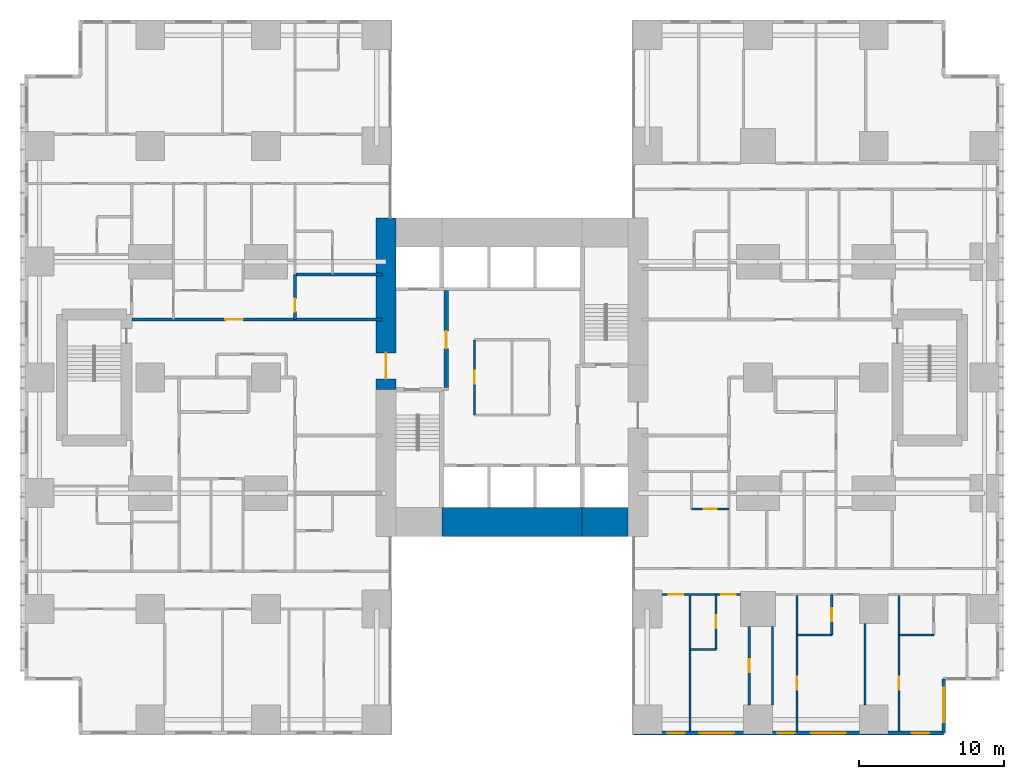
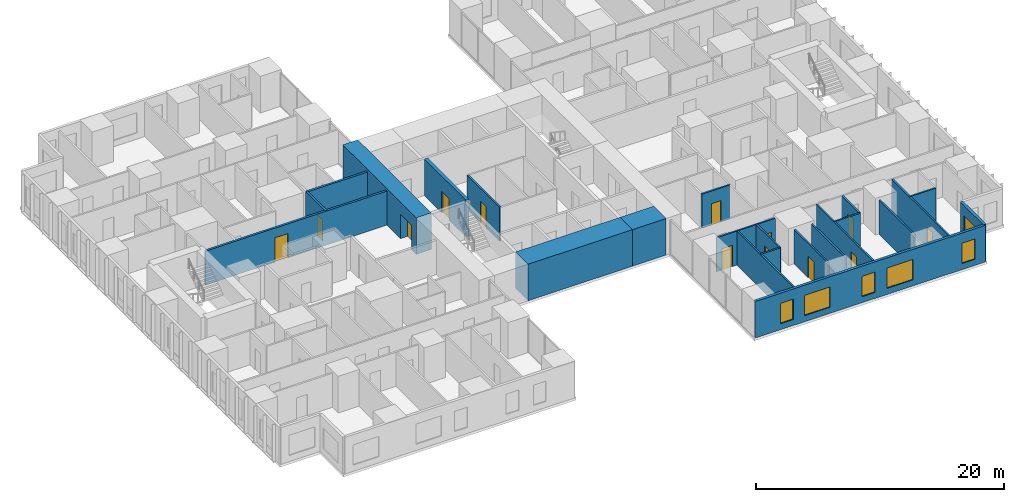
# One storey, part 14 of 20: 23 walls, 13 doors, 6 windows, 19 openings.
"""IFC4 building model written with IfcOpenShell, lengths in metres."""

from ifc_helpers import new_model, si_unit, direction, frame, frame_2d, origin, place, context, subcontext, project, spatial, rectangle, extrude, material, layer, layer_set, type_object, element, fill, save


model = new_model("IFC4")

# Units and contexts
model_context = context("Model", 3, precision=1e-05, world=origin(), true_north=direction((0.0, 1.0)))
body_context = subcontext(model_context, "Body", "Model", "MODEL_VIEW")
ifc_project = project(units=[si_unit("LENGTHUNIT", "METRE"), si_unit("AREAUNIT", "SQUARE_METRE"), si_unit("VOLUMEUNIT", "CUBIC_METRE"), si_unit("PLANEANGLEUNIT", "RADIAN"), si_unit("MASSUNIT", "GRAM", prefix="KILO")], contexts=[model_context])

# Site, building, storey
site_placement = place(None, origin())
site = spatial("IfcSite", under=ifc_project, at=site_placement, CompositionType="ELEMENT")
building_placement = place(site_placement, origin())
building = spatial("IfcBuilding", under=site, at=building_placement, Name="Cleftline Residences", CompositionType="ELEMENT")
storey_placement = place(building_placement, frame((0.0, 0.0, 54.800048828125)))
storey = spatial("IfcBuildingStorey", under=building, at=storey_placement, Name="L13", CompositionType="ELEMENT", Elevation=54.800048828125)

# Wall, opening, door
ifc_material_1 = material(Name="Concrete B70", Category="concrete")
ifc_layer_1 = layer(ifc_material_1, 1.39990234375)
ifc_layer_set_1 = layer_set([ifc_layer_1], Name="CORE WALL 1400")
wall_type_1 = type_object("IfcWallType", Name="CORE WALL 1400", PredefinedType="SHEAR", material=ifc_layer_set_1)
wall_1_placement = place(storey_placement, frame((24.300048828125, 23.14990234375, 0.0), z_axis=(0.0, 0.0, 1.0), x_axis=(0.0, 1.0, 0.0)))
wall_1 = element("IfcWall", 1, at=wall_1_placement, inside=storey, type_object=wall_type_1, Name="Core wall W", PredefinedType="SHEAR", context=body_context, shape_type="SweptSolid", body=[
    extrude(rectangle(XDim=11.85009765625, YDim=1.39990234375, at=frame_2d((5.925048828125, 0.0))), origin(), (0.0, 0.0, 1.0), 3.599853515625),
])
opening_1_placement = place(wall_1_placement, frame((0.75, 0.0, 0.0)))
opening_1 = element("IfcOpeningElement", 2, at=opening_1_placement, cuts=wall_1, Name="Opening D7", PredefinedType="OPENING", context=body_context, shape_type="SweptSolid", body=[
    extrude(rectangle(XDim=1.800048828125, YDim=2.39990234375, at=frame_2d((0.89990234375, 1.199951171875))), frame((0.0, 0.7099609375, 0.0), z_axis=(0.0, -1.0, 0.0), x_axis=(1.0, 0.0, 0.0)), (0.0, 0.0, 1.0), 1.419921875),
])
ifc_material_2 = material(Name="Steel", Category="steel")
door_type_1 = type_object("IfcDoorType", Name="WING DOOR 1800X2400", OperationType="DOUBLE_DOOR_DOUBLE_SWING", PredefinedType="DOOR", material=ifc_material_2)
door_1_placement = place(opening_1_placement, origin())
door_1 = element("IfcDoor", 3, at=door_1_placement, inside=storey, type_object=door_type_1, Name="West wing door", OperationType="DOUBLE_DOOR_DOUBLE_SWING", OverallHeight=2.39990234375, OverallWidth=1.800048828125, PredefinedType="DOOR", context=body_context, shape_type="SweptSolid", body=[
    extrude(rectangle(XDim=1.800048828125, YDim=2.39990234375, at=frame_2d((0.89990234375, 1.199951171875))), frame((0.0, 0.02490234375, 0.0), z_axis=(0.0, -1.0, 0.0), x_axis=(1.0, 0.0, 0.0)), (0.0, 0.0, 1.0), 0.050048828125),
])
fill(opening_1, door_1)

# Walls
ifc_material_3 = material(Name="Concrete B70", Category="concrete")
ifc_layer_2 = layer(ifc_material_3, 2.0)
ifc_layer_set_2 = layer_set([ifc_layer_2], Name="CORE WALL 2000")
wall_type_2 = type_object("IfcWallType", Name="CORE WALL 2000", PredefinedType="SHEAR", material=ifc_layer_set_2)
wall_2_placement = place(storey_placement, frame((28.14990234375, 14.0, 0.0), z_axis=(0.0, 0.0, 1.0), x_axis=(1.0, 0.0, 0.0)))
element("IfcWall", 4, at=wall_2_placement, inside=storey, type_object=wall_type_2, Name="Core wall S2", PredefinedType="SHEAR", context=body_context, shape_type="SweptSolid", body=[
    extrude(rectangle(XDim=9.7001953125, YDim=2.0, at=frame_2d((4.85009765625, 0.0))), origin(), (0.0, 0.0, 1.0), 3.599853515625),
])
wall_3_placement = place(storey_placement, frame((37.85009765625, 14.0, 0.0), z_axis=(0.0, 0.0, 1.0), x_axis=(1.0, 0.0, 0.0)))
element("IfcWall", 5, at=wall_3_placement, inside=storey, type_object=wall_type_2, Name="Core wall S3", PredefinedType="SHEAR", context=body_context, shape_type="SweptSolid", body=[
    extrude(rectangle(XDim=3.14990234375, YDim=2.0, at=frame_2d((1.574951171875, 0.0))), origin(), (0.0, 0.0, 1.0), 3.599853515625),
])

# Wall, openings, windows
ifc_material_4 = material(Name="Rendered reinforced concrete blockwork", Category="masonry")
ifc_layer_3 = layer(ifc_material_4, 0.25)
ifc_layer_set_3 = layer_set([ifc_layer_3], Name="EXTERNAL WALL 250")
wall_type_3 = type_object("IfcWallType", Name="EXTERNAL WALL 250", PredefinedType="SOLIDWALL", material=ifc_layer_set_3)
wall_4_placement = place(storey_placement, frame((41.425048828125, -0.574951171875, 0.0), z_axis=(0.0, 0.0, 1.0), x_axis=(1.0, 0.0, 0.0)))
wall_4 = element("IfcWall", 6, at=wall_4_placement, inside=storey, type_object=wall_type_3, Name="External wall", PredefinedType="SOLIDWALL", context=body_context, shape_type="SweptSolid", body=[
    extrude(rectangle(XDim=21.39990234375, YDim=0.25, at=frame_2d((10.699951171875, 0.0))), origin(), (0.0, 0.0, 1.0), 3.599853515625),
])
opening_2_placement = place(wall_4_placement, frame((2.300048828125, 0.0, 0.60009765625)))
opening_2 = element("IfcOpeningElement", 7, at=opening_2_placement, cuts=wall_4, Name="Opening W8", PredefinedType="OPENING", context=body_context, shape_type="SweptSolid", body=[
    extrude(rectangle(XDim=1.199951171875, YDim=2.0, at=frame_2d((0.60009765625, 1.0))), frame((0.0, 0.135009765625, 0.0), z_axis=(0.0, -1.0, 0.0), x_axis=(1.0, 0.0, 0.0)), (0.0, 0.0, 1.0), 0.27001953125),
])
opening_3_placement = place(wall_4_placement, frame((4.52490234375, 0.0, 0.60009765625)))
opening_3 = element("IfcOpeningElement", 8, at=opening_3_placement, cuts=wall_4, Name="Opening W6", PredefinedType="OPENING", context=body_context, shape_type="SweptSolid", body=[
    extrude(rectangle(XDim=2.39990234375, YDim=2.0, at=frame_2d((1.199951171875, 1.0))), frame((0.0, 0.135009765625, 0.0), z_axis=(0.0, -1.0, 0.0), x_axis=(1.0, 0.0, 0.0)), (0.0, 0.0, 1.0), 0.27001953125),
])
opening_4_placement = place(wall_4_placement, frame((9.89990234375, 0.0, 0.60009765625)))
opening_4 = element("IfcOpeningElement", 9, at=opening_4_placement, cuts=wall_4, Name="Opening W8", PredefinedType="OPENING", context=body_context, shape_type="SweptSolid", body=[
    extrude(rectangle(XDim=1.199951171875, YDim=2.0, at=frame_2d((0.60009765625, 1.0))), frame((0.0, 0.135009765625, 0.0), z_axis=(0.0, -1.0, 0.0), x_axis=(1.0, 0.0, 0.0)), (0.0, 0.0, 1.0), 0.27001953125),
])
opening_5_placement = place(wall_4_placement, frame((12.22509765625, 0.0, 0.60009765625)))
opening_5 = element("IfcOpeningElement", 10, at=opening_5_placement, cuts=wall_4, Name="Opening W6", PredefinedType="OPENING", context=body_context, shape_type="SweptSolid", body=[
    extrude(rectangle(XDim=2.39990234375, YDim=2.0, at=frame_2d((1.199951171875, 1.0))), frame((0.0, 0.135009765625, 0.0), z_axis=(0.0, -1.0, 0.0), x_axis=(1.0, 0.0, 0.0)), (0.0, 0.0, 1.0), 0.27001953125),
])
opening_6_placement = place(wall_4_placement, frame((19.199951171875, 0.0, 0.60009765625)))
opening_6 = element("IfcOpeningElement", 11, at=opening_6_placement, cuts=wall_4, Name="Opening W8", PredefinedType="OPENING", context=body_context, shape_type="SweptSolid", body=[
    extrude(rectangle(XDim=1.199951171875, YDim=2.0, at=frame_2d((0.60009765625, 1.0))), frame((0.0, 0.135009765625, 0.0), z_axis=(0.0, -1.0, 0.0), x_axis=(1.0, 0.0, 0.0)), (0.0, 0.0, 1.0), 0.27001953125),
])
ifc_material_5 = material(Name="Aluminium frame, clear double glazing", Category="aluminium")
window_type_1 = type_object("IfcWindowType", Name="WINDOW 1200X2000", PartitioningType="DOUBLE_PANEL_VERTICAL", PredefinedType="WINDOW", material=ifc_material_5)
window_1_placement = place(opening_2_placement, origin())
window_1 = element("IfcWindow", 12, at=window_1_placement, inside=storey, type_object=window_type_1, Name="Window", OverallHeight=2.0, OverallWidth=1.199951171875, PartitioningType="SINGLE_PANEL", PredefinedType="WINDOW", context=body_context, shape_type="SweptSolid", body=[
    extrude(rectangle(XDim=1.199951171875, YDim=2.0, at=frame_2d((0.60009765625, 1.0))), frame((0.0, 0.030029296875, 0.0), z_axis=(0.0, -1.0, 0.0), x_axis=(1.0, 0.0, 0.0)), (0.0, 0.0, 1.0), 0.06005859375),
])
fill(opening_2, window_1)
window_2_placement = place(opening_4_placement, origin())
window_2 = element("IfcWindow", 13, at=window_2_placement, inside=storey, type_object=window_type_1, Name="Window", OverallHeight=2.0, OverallWidth=1.199951171875, PartitioningType="SINGLE_PANEL", PredefinedType="WINDOW", context=body_context, shape_type="SweptSolid", body=[
    extrude(rectangle(XDim=1.199951171875, YDim=2.0, at=frame_2d((0.60009765625, 1.0))), frame((0.0, 0.030029296875, 0.0), z_axis=(0.0, -1.0, 0.0), x_axis=(1.0, 0.0, 0.0)), (0.0, 0.0, 1.0), 0.06005859375),
])
fill(opening_4, window_2)
window_3_placement = place(opening_6_placement, origin())
window_3 = element("IfcWindow", 14, at=window_3_placement, inside=storey, type_object=window_type_1, Name="Window", OverallHeight=2.0, OverallWidth=1.199951171875, PartitioningType="SINGLE_PANEL", PredefinedType="WINDOW", context=body_context, shape_type="SweptSolid", body=[
    extrude(rectangle(XDim=1.199951171875, YDim=2.0, at=frame_2d((0.60009765625, 1.0))), frame((0.0, 0.030029296875, 0.0), z_axis=(0.0, -1.0, 0.0), x_axis=(1.0, 0.0, 0.0)), (0.0, 0.0, 1.0), 0.06005859375),
])
fill(opening_6, window_3)
ifc_material_6 = material(Name="Aluminium frame, clear double glazing", Category="aluminium")
window_type_2 = type_object("IfcWindowType", Name="WINDOW 2400X2000", PartitioningType="DOUBLE_PANEL_VERTICAL", PredefinedType="WINDOW", material=ifc_material_6)
window_4_placement = place(opening_3_placement, origin())
window_4 = element("IfcWindow", 15, at=window_4_placement, inside=storey, type_object=window_type_2, Name="Window", OverallHeight=2.0, OverallWidth=2.39990234375, PartitioningType="SINGLE_PANEL", PredefinedType="WINDOW", context=body_context, shape_type="SweptSolid", body=[
    extrude(rectangle(XDim=2.39990234375, YDim=2.0, at=frame_2d((1.199951171875, 1.0))), frame((0.0, 0.030029296875, 0.0), z_axis=(0.0, -1.0, 0.0), x_axis=(1.0, 0.0, 0.0)), (0.0, 0.0, 1.0), 0.06005859375),
])
fill(opening_3, window_4)
window_5_placement = place(opening_5_placement, origin())
window_5 = element("IfcWindow", 16, at=window_5_placement, inside=storey, type_object=window_type_2, Name="Window", OverallHeight=2.0, OverallWidth=2.39990234375, PartitioningType="SINGLE_PANEL", PredefinedType="WINDOW", context=body_context, shape_type="SweptSolid", body=[
    extrude(rectangle(XDim=2.39990234375, YDim=2.0, at=frame_2d((1.199951171875, 1.0))), frame((0.0, 0.030029296875, 0.0), z_axis=(0.0, -1.0, 0.0), x_axis=(1.0, 0.0, 0.0)), (0.0, 0.0, 1.0), 0.06005859375),
])
fill(opening_5, window_5)

# Wall, opening, window
wall_5_placement = place(storey_placement, frame((62.824951171875, -0.574951171875, 0.0), z_axis=(0.0, 0.0, 1.0), x_axis=(0.0, 1.0, 0.0)))
wall_5 = element("IfcWall", 17, at=wall_5_placement, inside=storey, type_object=wall_type_3, Name="External wall", PredefinedType="SOLIDWALL", context=body_context, shape_type="SweptSolid", body=[
    extrude(rectangle(XDim=3.75, YDim=0.25, at=frame_2d((1.875, 0.0))), origin(), (0.0, 0.0, 1.0), 3.599853515625),
])
opening_7_placement = place(wall_5_placement, frame((0.737548828125, 0.0, 0.60009765625)))
opening_7 = element("IfcOpeningElement", 18, at=opening_7_placement, cuts=wall_5, Name="Opening W6", PredefinedType="OPENING", context=body_context, shape_type="SweptSolid", body=[
    extrude(rectangle(XDim=2.39990234375, YDim=2.0, at=frame_2d((1.199951171875, 1.0))), frame((0.0, 0.135009765625, 0.0), z_axis=(0.0, -1.0, 0.0), x_axis=(1.0, 0.0, 0.0)), (0.0, 0.0, 1.0), 0.27001953125),
])
window_6_placement = place(opening_7_placement, origin())
window_6 = element("IfcWindow", 19, at=window_6_placement, inside=storey, type_object=window_type_2, Name="Window", OverallHeight=2.0, OverallWidth=2.39990234375, PartitioningType="SINGLE_PANEL", PredefinedType="WINDOW", context=body_context, shape_type="SweptSolid", body=[
    extrude(rectangle(XDim=2.39990234375, YDim=2.0, at=frame_2d((1.199951171875, 1.0))), frame((0.0, 0.030029296875, 0.0), z_axis=(0.0, -1.0, 0.0), x_axis=(1.0, 0.0, 0.0)), (0.0, 0.0, 1.0), 0.06005859375),
])
fill(opening_7, window_6)

# Wall, opening, door
ifc_material_7 = material(Name="Concrete blockwork, fire rated", Category="masonry")
ifc_layer_4 = layer(ifc_material_7, 0.199951171875)
ifc_layer_set_4 = layer_set([ifc_layer_4], Name="FIRE WALL 200")
wall_type_4 = type_object("IfcWallType", Name="FIRE WALL 200", PredefinedType="PARTITIONING", material=ifc_layer_set_4)
wall_6_placement = place(storey_placement, frame((6.72509765625, 28.0, 0.0), z_axis=(0.0, 0.0, 1.0), x_axis=(1.0, 0.0, 0.0)))
wall_6 = element("IfcWall", 20, at=wall_6_placement, inside=storey, type_object=wall_type_4, Name="Fire separating wall", PredefinedType="PARTITIONING", context=body_context, shape_type="SweptSolid", body=[
    extrude(rectangle(XDim=17.27490234375, YDim=0.199951171875, at=frame_2d((8.637451171875, 0.0))), origin(), (0.0, 0.0, 1.0), 3.349853515625),
])
opening_8_placement = place(wall_6_placement, frame((6.47509765625, 0.0, 0.0)))
opening_8 = element("IfcOpeningElement", 21, at=opening_8_placement, cuts=wall_6, Name="Opening D4", PredefinedType="OPENING", context=body_context, shape_type="SweptSolid", body=[
    extrude(rectangle(XDim=1.199951171875, YDim=2.39990234375, at=frame_2d((0.60009765625, 1.199951171875))), frame((0.0, 0.10986328125, 0.0), z_axis=(0.0, -1.0, 0.0), x_axis=(1.0, 0.0, 0.0)), (0.0, 0.0, 1.0), 0.219970703125),
])
ifc_material_8 = material(Name="Timber veneer on solid core", Category="wood")
door_type_2 = type_object("IfcDoorType", Name="APARTMENT ENTRANCE DOOR 1200X2400", OperationType="SINGLE_SWING_RIGHT", PredefinedType="DOOR", material=ifc_material_8)
door_2_placement = place(opening_8_placement, origin())
door_2 = element("IfcDoor", 22, at=door_2_placement, inside=storey, type_object=door_type_2, Name="Door to residence entrance foyer", OperationType="SINGLE_SWING_RIGHT", OverallHeight=2.39990234375, OverallWidth=1.199951171875, PredefinedType="DOOR", context=body_context, shape_type="SweptSolid", body=[
    extrude(rectangle(XDim=1.199951171875, YDim=2.39990234375, at=frame_2d((0.60009765625, 1.199951171875))), frame((0.0, 0.02490234375, 0.0), z_axis=(0.0, -1.0, 0.0), x_axis=(1.0, 0.0, 0.0)), (0.0, 0.0, 1.0), 0.050048828125),
])
fill(opening_8, door_2)

# Wall
wall_7_placement = place(storey_placement, frame((18.0, 31.10009765625, 0.0), z_axis=(0.0, 0.0, 1.0), x_axis=(1.0, 0.0, 0.0)))
element("IfcWall", 23, at=wall_7_placement, inside=storey, type_object=wall_type_4, Name="Fire separating wall", PredefinedType="PARTITIONING", context=body_context, shape_type="SweptSolid", body=[
    extrude(rectangle(XDim=6.0, YDim=0.199951171875, at=frame_2d((3.0, 0.0))), origin(), (0.0, 0.0, 1.0), 3.349853515625),
])

# Wall, opening, door
wall_8_placement = place(storey_placement, frame((18.0, 28.0, 0.0), z_axis=(0.0, 0.0, 1.0), x_axis=(0.0, 1.0, 0.0)))
wall_8 = element("IfcWall", 24, at=wall_8_placement, inside=storey, type_object=wall_type_4, Name="Fire separating wall", PredefinedType="PARTITIONING", context=body_context, shape_type="SweptSolid", body=[
    extrude(rectangle(XDim=3.10009765625, YDim=0.199951171875, at=frame_2d((1.550048828125, 0.0))), origin(), (0.0, 0.0, 1.0), 3.349853515625),
])
opening_9_placement = place(wall_8_placement, frame((0.550048828125, 0.0, 0.0)))
opening_9 = element("IfcOpeningElement", 25, at=opening_9_placement, cuts=wall_8, Name="Opening D1F30", PredefinedType="OPENING", context=body_context, shape_type="SweptSolid", body=[
    extrude(rectangle(XDim=0.89990234375, YDim=2.10009765625, at=frame_2d((0.449951171875, 1.050048828125))), frame((0.0, 0.10986328125, 0.0), z_axis=(0.0, -1.0, 0.0), x_axis=(1.0, 0.0, 0.0)), (0.0, 0.0, 1.0), 0.219970703125),
])
ifc_material_9 = material(Name="Timber veneer on solid core", Category="wood")
door_type_3 = type_object("IfcDoorType", Name="DOOR 900X2100 EI 30", OperationType="SINGLE_SWING_LEFT", PredefinedType="DOOR", material=ifc_material_9)
door_3_placement = place(opening_9_placement, origin())
door_3 = element("IfcDoor", 26, at=door_3_placement, inside=storey, type_object=door_type_3, Name="Door to laundry and wc", OperationType="SINGLE_SWING_RIGHT", OverallHeight=2.10009765625, OverallWidth=0.89990234375, PredefinedType="DOOR", context=body_context, shape_type="SweptSolid", body=[
    extrude(rectangle(XDim=0.89990234375, YDim=2.10009765625, at=frame_2d((0.449951171875, 1.050048828125))), frame((0.0, 0.02490234375, 0.0), z_axis=(0.0, -1.0, 0.0), x_axis=(1.0, 0.0, 0.0)), (0.0, 0.0, 1.0), 0.050048828125),
])
fill(opening_9, door_3)

# Walls
ifc_material_10 = material(Name="Gypsum board on steel studs", Category="steel")
ifc_layer_5 = layer(ifc_material_10, 0.14990234375)
ifc_layer_set_5 = layer_set([ifc_layer_5], Name="PARTITION 150")
wall_type_5 = type_object("IfcWallType", Name="PARTITION 150", PredefinedType="PARTITIONING", material=ifc_layer_set_5)
wall_9_placement = place(storey_placement, frame((45.300048828125, 5.199951171875, 0.0), z_axis=(0.0, 0.0, 1.0), x_axis=(1.0, 0.0, 0.0)))
element("IfcWall", 27, at=wall_9_placement, inside=storey, type_object=wall_type_5, Name="Partition", PredefinedType="PARTITIONING", context=body_context, shape_type="SweptSolid", body=[
    extrude(rectangle(XDim=1.800048828125, YDim=0.14990234375, at=frame_2d((0.89990234375, 0.0))), origin(), (0.0, 0.0, 1.0), 3.349853515625),
])
wall_10_placement = place(storey_placement, frame((52.699951171875, 6.199951171875, 0.0), z_axis=(0.0, 0.0, 1.0), x_axis=(1.0, 0.0, 0.0)))
element("IfcWall", 28, at=wall_10_placement, inside=storey, type_object=wall_type_5, Name="Partition", PredefinedType="PARTITIONING", context=body_context, shape_type="SweptSolid", body=[
    extrude(rectangle(XDim=2.400146484375, YDim=0.14990234375, at=frame_2d((1.2001953125, 0.0))), origin(), (0.0, 0.0, 1.0), 3.349853515625),
])
wall_11_placement = place(storey_placement, frame((59.75, 6.199951171875, 0.0), z_axis=(0.0, 0.0, 1.0), x_axis=(1.0, 0.0, 0.0)))
element("IfcWall", 29, at=wall_11_placement, inside=storey, type_object=wall_type_5, Name="Partition", PredefinedType="PARTITIONING", context=body_context, shape_type="SweptSolid", body=[
    extrude(rectangle(XDim=2.39990234375, YDim=0.14990234375, at=frame_2d((1.199951171875, 0.0))), origin(), (0.0, 0.0, 1.0), 3.349853515625),
])

# Wall, openings, doors
wall_12_placement = place(storey_placement, frame((43.35009765625, 9.0, 0.0), z_axis=(0.0, 0.0, 1.0), x_axis=(1.0, 0.0, 0.0)))
wall_12 = element("IfcWall", 30, at=wall_12_placement, inside=storey, type_object=wall_type_5, Name="Partition", PredefinedType="PARTITIONING", context=body_context, shape_type="SweptSolid", body=[
    extrude(rectangle(XDim=5.449951171875, YDim=0.14990234375, at=frame_2d((2.72509765625, 0.0))), origin(), (0.0, 0.0, 1.0), 3.349853515625),
])
opening_10_placement = place(wall_12_placement, frame((4.10009765625, 0.0, 0.0)))
opening_10 = element("IfcOpeningElement", 31, at=opening_10_placement, cuts=wall_12, Name="Opening D2", PredefinedType="OPENING", context=body_context, shape_type="SweptSolid", body=[
    extrude(rectangle(XDim=1.0, YDim=2.10009765625, at=frame_2d((0.5, 1.050048828125))), frame((0.0, 0.0849609375, 0.0), z_axis=(0.0, -1.0, 0.0), x_axis=(1.0, 0.0, 0.0)), (0.0, 0.0, 1.0), 0.169921875),
])
opening_11_placement = place(wall_12_placement, frame((0.47509765625, 0.0, 0.0)))
opening_11 = element("IfcOpeningElement", 32, at=opening_11_placement, cuts=wall_12, Name="Opening D2", PredefinedType="OPENING", context=body_context, shape_type="SweptSolid", body=[
    extrude(rectangle(XDim=1.0, YDim=2.10009765625, at=frame_2d((0.5, 1.050048828125))), frame((0.0, 0.0849609375, 0.0), z_axis=(0.0, -1.0, 0.0), x_axis=(1.0, 0.0, 0.0)), (0.0, 0.0, 1.0), 0.169921875),
])
ifc_material_11 = material(Name="Timber veneer on solid core", Category="wood")
door_type_4 = type_object("IfcDoorType", Name="DOOR 1000X2100", OperationType="SINGLE_SWING_LEFT", PredefinedType="DOOR", material=ifc_material_11)
door_4_placement = place(opening_10_placement, origin())
door_4 = element("IfcDoor", 33, at=door_4_placement, inside=storey, type_object=door_type_4, Name="Door to bedroom 4", OperationType="SINGLE_SWING_LEFT", OverallHeight=2.10009765625, OverallWidth=1.0, PredefinedType="DOOR", context=body_context, shape_type="SweptSolid", body=[
    extrude(rectangle(XDim=1.0, YDim=2.10009765625, at=frame_2d((0.5, 1.050048828125))), frame((0.0, 0.02490234375, 0.0), z_axis=(0.0, -1.0, 0.0), x_axis=(1.0, 0.0, 0.0)), (0.0, 0.0, 1.0), 0.050048828125),
])
fill(opening_10, door_4)
door_5_placement = place(opening_11_placement, origin())
door_5 = element("IfcDoor", 34, at=door_5_placement, inside=storey, type_object=door_type_4, Name="Door to family room", OperationType="SINGLE_SWING_RIGHT", OverallHeight=2.10009765625, OverallWidth=1.0, PredefinedType="DOOR", context=body_context, shape_type="SweptSolid", body=[
    extrude(rectangle(XDim=1.0, YDim=2.10009765625, at=frame_2d((0.5, 1.050048828125))), frame((0.0, 0.02490234375, 0.0), z_axis=(0.0, -1.0, 0.0), x_axis=(1.0, 0.0, 0.0)), (0.0, 0.0, 1.0), 0.050048828125),
])
fill(opening_11, door_5)

# Wall, opening, door
wall_13_placement = place(storey_placement, frame((45.39990234375, 14.89990234375, 0.0), z_axis=(0.0, 0.0, 1.0), x_axis=(1.0, 0.0, 0.0)))
wall_13 = element("IfcWall", 35, at=wall_13_placement, inside=storey, type_object=wall_type_5, Name="Partition", PredefinedType="PARTITIONING", context=body_context, shape_type="SweptSolid", body=[
    extrude(rectangle(XDim=2.60009765625, YDim=0.14990234375, at=frame_2d((1.300048828125, 0.0))), origin(), (0.0, 0.0, 1.0), 3.349853515625),
])
opening_12_placement = place(wall_13_placement, frame((0.85009765625, 0.0, 0.0)))
opening_12 = element("IfcOpeningElement", 36, at=opening_12_placement, cuts=wall_13, Name="Opening D1", PredefinedType="OPENING", context=body_context, shape_type="SweptSolid", body=[
    extrude(rectangle(XDim=0.89990234375, YDim=2.10009765625, at=frame_2d((0.449951171875, 1.050048828125))), frame((0.0, 0.0849609375, 0.0), z_axis=(0.0, -1.0, 0.0), x_axis=(1.0, 0.0, 0.0)), (0.0, 0.0, 1.0), 0.169921875),
])
ifc_material_12 = material(Name="Timber veneer on solid core", Category="wood")
door_type_5 = type_object("IfcDoorType", Name="DOOR 900X2100", OperationType="SINGLE_SWING_LEFT", PredefinedType="DOOR", material=ifc_material_12)
door_6_placement = place(opening_12_placement, origin())
door_6 = element("IfcDoor", 37, at=door_6_placement, inside=storey, type_object=door_type_5, Name="Door to master bathroom", OperationType="SINGLE_SWING_LEFT", OverallHeight=2.10009765625, OverallWidth=0.89990234375, PredefinedType="DOOR", context=body_context, shape_type="SweptSolid", body=[
    extrude(rectangle(XDim=0.89990234375, YDim=2.10009765625, at=frame_2d((0.449951171875, 1.050048828125))), frame((0.0, 0.02490234375, 0.0), z_axis=(0.0, -1.0, 0.0), x_axis=(1.0, 0.0, 0.0)), (0.0, 0.0, 1.0), 0.050048828125),
])
fill(opening_12, door_6)

# Wall
wall_14_placement = place(storey_placement, frame((45.300048828125, -0.449951171875, 0.0), z_axis=(0.0, 0.0, 1.0), x_axis=(0.0, 1.0, 0.0)))
element("IfcWall", 38, at=wall_14_placement, inside=storey, type_object=wall_type_5, Name="Partition", PredefinedType="PARTITIONING", context=body_context, shape_type="SweptSolid", body=[
    extrude(rectangle(XDim=9.449951171875, YDim=0.14990234375, at=frame_2d((4.72509765625, 0.0))), origin(), (0.0, 0.0, 1.0), 3.349853515625),
])

# Wall, opening, door
wall_15_placement = place(storey_placement, frame((47.10009765625, 5.199951171875, 0.0), z_axis=(0.0, 0.0, 1.0), x_axis=(0.0, 1.0, 0.0)))
wall_15 = element("IfcWall", 39, at=wall_15_placement, inside=storey, type_object=wall_type_5, Name="Partition", PredefinedType="PARTITIONING", context=body_context, shape_type="SweptSolid", body=[
    extrude(rectangle(XDim=3.800048828125, YDim=0.14990234375, at=frame_2d((1.89990234375, 0.0))), origin(), (0.0, 0.0, 1.0), 3.349853515625),
])
opening_13_placement = place(wall_15_placement, frame((1.449951171875, 0.0, 0.0)))
opening_13 = element("IfcOpeningElement", 40, at=opening_13_placement, cuts=wall_15, Name="Opening D1", PredefinedType="OPENING", context=body_context, shape_type="SweptSolid", body=[
    extrude(rectangle(XDim=0.89990234375, YDim=2.10009765625, at=frame_2d((0.449951171875, 1.050048828125))), frame((0.0, 0.0849609375, 0.0), z_axis=(0.0, -1.0, 0.0), x_axis=(1.0, 0.0, 0.0)), (0.0, 0.0, 1.0), 0.169921875),
])
door_7_placement = place(opening_13_placement, origin())
door_7 = element("IfcDoor", 41, at=door_7_placement, inside=storey, type_object=door_type_5, Name="Door to en-suite bathroom 4", OperationType="SINGLE_SWING_LEFT", OverallHeight=2.10009765625, OverallWidth=0.89990234375, PredefinedType="DOOR", context=body_context, shape_type="SweptSolid", body=[
    extrude(rectangle(XDim=0.89990234375, YDim=2.10009765625, at=frame_2d((0.449951171875, 1.050048828125))), frame((0.0, 0.02490234375, 0.0), z_axis=(0.0, -1.0, 0.0), x_axis=(1.0, 0.0, 0.0)), (0.0, 0.0, 1.0), 0.050048828125),
])
fill(opening_13, door_7)

wall_16_placement = place(storey_placement, frame((49.39990234375, 1.35009765625, 0.0), z_axis=(0.0, 0.0, 1.0), x_axis=(0.0, 1.0, 0.0)))
wall_16 = element("IfcWall", 42, at=wall_16_placement, inside=storey, type_object=wall_type_5, Name="Partition", PredefinedType="PARTITIONING", context=body_context, shape_type="SweptSolid", body=[
    extrude(rectangle(XDim=5.449951171875, YDim=0.14990234375, at=frame_2d((2.72509765625, 0.0))), origin(), (0.0, 0.0, 1.0), 3.349853515625),
])
opening_14_placement = place(wall_16_placement, frame((2.27490234375, 0.0, 0.0)))
opening_14 = element("IfcOpeningElement", 43, at=opening_14_placement, cuts=wall_16, Name="Opening D1", PredefinedType="OPENING", context=body_context, shape_type="SweptSolid", body=[
    extrude(rectangle(XDim=0.89990234375, YDim=2.10009765625, at=frame_2d((0.449951171875, 1.050048828125))), frame((0.0, 0.0849609375, 0.0), z_axis=(0.0, -1.0, 0.0), x_axis=(1.0, 0.0, 0.0)), (0.0, 0.0, 1.0), 0.169921875),
])
door_8_placement = place(opening_14_placement, origin())
door_8 = element("IfcDoor", 44, at=door_8_placement, inside=storey, type_object=door_type_5, Name="Door to walk-in wardrobe", OperationType="SINGLE_SWING_LEFT", OverallHeight=2.10009765625, OverallWidth=0.89990234375, PredefinedType="DOOR", context=body_context, shape_type="SweptSolid", body=[
    extrude(rectangle(XDim=0.89990234375, YDim=2.10009765625, at=frame_2d((0.449951171875, 1.050048828125))), frame((0.0, 0.02490234375, 0.0), z_axis=(0.0, -1.0, 0.0), x_axis=(1.0, 0.0, 0.0)), (0.0, 0.0, 1.0), 0.050048828125),
])
fill(opening_14, door_8)

# Wall
wall_17_placement = place(storey_placement, frame((51.0, 1.35009765625, 0.0), z_axis=(0.0, 0.0, 1.0), x_axis=(0.0, 1.0, 0.0)))
element("IfcWall", 45, at=wall_17_placement, inside=storey, type_object=wall_type_5, Name="Partition", PredefinedType="PARTITIONING", context=body_context, shape_type="SweptSolid", body=[
    extrude(rectangle(XDim=5.449951171875, YDim=0.14990234375, at=frame_2d((2.72509765625, 0.0))), origin(), (0.0, 0.0, 1.0), 3.349853515625),
])

# Wall, opening, door
wall_18_placement = place(storey_placement, frame((52.699951171875, -0.449951171875, 0.0), z_axis=(0.0, 0.0, 1.0), x_axis=(0.0, 1.0, 0.0)))
wall_18 = element("IfcWall", 46, at=wall_18_placement, inside=storey, type_object=wall_type_5, Name="Partition", PredefinedType="PARTITIONING", context=body_context, shape_type="SweptSolid", body=[
    extrude(rectangle(XDim=9.449951171875, YDim=0.14990234375, at=frame_2d((4.72509765625, 0.0))), origin(), (0.0, 0.0, 1.0), 3.349853515625),
])
opening_15_placement = place(wall_18_placement, frame((2.875, 0.0, 0.0)))
opening_15 = element("IfcOpeningElement", 47, at=opening_15_placement, cuts=wall_18, Name="Opening D1", PredefinedType="OPENING", context=body_context, shape_type="SweptSolid", body=[
    extrude(rectangle(XDim=0.89990234375, YDim=2.10009765625, at=frame_2d((0.449951171875, 1.050048828125))), frame((0.0, 0.0849609375, 0.0), z_axis=(0.0, -1.0, 0.0), x_axis=(1.0, 0.0, 0.0)), (0.0, 0.0, 1.0), 0.169921875),
])
door_9_placement = place(opening_15_placement, origin())
door_9 = element("IfcDoor", 48, at=door_9_placement, inside=storey, type_object=door_type_5, Name="Door to walk-in wardrobe", OperationType="SINGLE_SWING_RIGHT", OverallHeight=2.10009765625, OverallWidth=0.89990234375, PredefinedType="DOOR", context=body_context, shape_type="SweptSolid", body=[
    extrude(rectangle(XDim=0.89990234375, YDim=2.10009765625, at=frame_2d((0.449951171875, 1.050048828125))), frame((0.0, 0.02490234375, 0.0), z_axis=(0.0, -1.0, 0.0), x_axis=(1.0, 0.0, 0.0)), (0.0, 0.0, 1.0), 0.050048828125),
])
fill(opening_15, door_9)

wall_19_placement = place(storey_placement, frame((55.10009765625, 6.199951171875, 0.0), z_axis=(0.0, 0.0, 1.0), x_axis=(0.0, 1.0, 0.0)))
wall_19 = element("IfcWall", 49, at=wall_19_placement, inside=storey, type_object=wall_type_5, Name="Partition", PredefinedType="PARTITIONING", context=body_context, shape_type="SweptSolid", body=[
    extrude(rectangle(XDim=2.800048828125, YDim=0.14990234375, at=frame_2d((1.39990234375, 0.0))), origin(), (0.0, 0.0, 1.0), 3.349853515625),
])
opening_16_placement = place(wall_19_placement, frame((0.949951171875, 0.0, 0.0)))
opening_16 = element("IfcOpeningElement", 50, at=opening_16_placement, cuts=wall_19, Name="Opening D1", PredefinedType="OPENING", context=body_context, shape_type="SweptSolid", body=[
    extrude(rectangle(XDim=0.89990234375, YDim=2.10009765625, at=frame_2d((0.449951171875, 1.050048828125))), frame((0.0, 0.0849609375, 0.0), z_axis=(0.0, -1.0, 0.0), x_axis=(1.0, 0.0, 0.0)), (0.0, 0.0, 1.0), 0.169921875),
])
door_10_placement = place(opening_16_placement, origin())
door_10 = element("IfcDoor", 51, at=door_10_placement, inside=storey, type_object=door_type_5, Name="Door to en-suite bathroom 3", OperationType="SINGLE_SWING_LEFT", OverallHeight=2.10009765625, OverallWidth=0.89990234375, PredefinedType="DOOR", context=body_context, shape_type="SweptSolid", body=[
    extrude(rectangle(XDim=0.89990234375, YDim=2.10009765625, at=frame_2d((0.449951171875, 1.050048828125))), frame((0.0, 0.02490234375, 0.0), z_axis=(0.0, -1.0, 0.0), x_axis=(1.0, 0.0, 0.0)), (0.0, 0.0, 1.0), 0.050048828125),
])
fill(opening_16, door_10)

# Wall
wall_20_placement = place(storey_placement, frame((57.39990234375, 1.35009765625, 0.0), z_axis=(0.0, 0.0, 1.0), x_axis=(0.0, 1.0, 0.0)))
element("IfcWall", 52, at=wall_20_placement, inside=storey, type_object=wall_type_5, Name="Partition", PredefinedType="PARTITIONING", context=body_context, shape_type="SweptSolid", body=[
    extrude(rectangle(XDim=5.64990234375, YDim=0.14990234375, at=frame_2d((2.824951171875, 0.0))), origin(), (0.0, 0.0, 1.0), 3.349853515625),
])

# Wall, opening, door
wall_21_placement = place(storey_placement, frame((59.75, -0.449951171875, 0.0), z_axis=(0.0, 0.0, 1.0), x_axis=(0.0, 1.0, 0.0)))
wall_21 = element("IfcWall", 53, at=wall_21_placement, inside=storey, type_object=wall_type_5, Name="Partition", PredefinedType="PARTITIONING", context=body_context, shape_type="SweptSolid", body=[
    extrude(rectangle(XDim=9.449951171875, YDim=0.14990234375, at=frame_2d((4.72509765625, 0.0))), origin(), (0.0, 0.0, 1.0), 3.349853515625),
])
opening_17_placement = place(wall_21_placement, frame((2.875, 0.0, 0.0)))
opening_17 = element("IfcOpeningElement", 54, at=opening_17_placement, cuts=wall_21, Name="Opening D1", PredefinedType="OPENING", context=body_context, shape_type="SweptSolid", body=[
    extrude(rectangle(XDim=0.89990234375, YDim=2.10009765625, at=frame_2d((0.449951171875, 1.050048828125))), frame((0.0, 0.0849609375, 0.0), z_axis=(0.0, -1.0, 0.0), x_axis=(1.0, 0.0, 0.0)), (0.0, 0.0, 1.0), 0.169921875),
])
door_11_placement = place(opening_17_placement, origin())
door_11 = element("IfcDoor", 55, at=door_11_placement, inside=storey, type_object=door_type_5, Name="Door to walk-in wardrobe", OperationType="SINGLE_SWING_RIGHT", OverallHeight=2.10009765625, OverallWidth=0.89990234375, PredefinedType="DOOR", context=body_context, shape_type="SweptSolid", body=[
    extrude(rectangle(XDim=0.89990234375, YDim=2.10009765625, at=frame_2d((0.449951171875, 1.050048828125))), frame((0.0, 0.02490234375, 0.0), z_axis=(0.0, -1.0, 0.0), x_axis=(1.0, 0.0, 0.0)), (0.0, 0.0, 1.0), 0.050048828125),
])
fill(opening_17, door_11)

ifc_material_13 = material(Name="Fire-resisting gypsum board on steel studs", Category="steel")
ifc_layer_6 = layer(ifc_material_13, 0.14990234375)
ifc_layer_set_6 = layer_set([ifc_layer_6], Name="PARTITION 150 EI 60")
wall_type_6 = type_object("IfcWallType", Name="PARTITION 150 EI 60", PredefinedType="PARTITIONING", material=ifc_layer_set_6)
wall_22_placement = place(storey_placement, frame((30.39990234375, 21.39990234375, 0.0), z_axis=(0.0, 0.0, 1.0), x_axis=(0.0, 1.0, 0.0)))
wall_22 = element("IfcWall", 56, at=wall_22_placement, inside=storey, type_object=wall_type_6, Name="Core room partition", PredefinedType="PARTITIONING", context=body_context, shape_type="SweptSolid", body=[
    extrude(rectangle(XDim=5.2001953125, YDim=0.14990234375, at=frame_2d((2.60009765625, 0.0))), origin(), (0.0, 0.0, 1.0), 3.349853515625),
])
opening_18_placement = place(wall_22_placement, frame((2.14990234375, 0.0, 0.0)))
opening_18 = element("IfcOpeningElement", 57, at=opening_18_placement, cuts=wall_22, Name="Opening D1F30", PredefinedType="OPENING", context=body_context, shape_type="SweptSolid", body=[
    extrude(rectangle(XDim=0.89990234375, YDim=2.10009765625, at=frame_2d((0.449951171875, 1.050048828125))), frame((0.0, 0.0849609375, 0.0), z_axis=(0.0, -1.0, 0.0), x_axis=(1.0, 0.0, 0.0)), (0.0, 0.0, 1.0), 0.169921875),
])
door_12_placement = place(opening_18_placement, origin())
door_12 = element("IfcDoor", 58, at=door_12_placement, inside=storey, type_object=door_type_3, Name="Door to guest pantry", OperationType="SINGLE_SWING_LEFT", OverallHeight=2.10009765625, OverallWidth=0.89990234375, PredefinedType="DOOR", context=body_context, shape_type="SweptSolid", body=[
    extrude(rectangle(XDim=0.89990234375, YDim=2.10009765625, at=frame_2d((0.449951171875, 1.050048828125))), frame((0.0, 0.02490234375, 0.0), z_axis=(0.0, -1.0, 0.0), x_axis=(1.0, 0.0, 0.0)), (0.0, 0.0, 1.0), 0.050048828125),
])
fill(opening_18, door_12)

ifc_material_14 = material(Name="Concrete blockwork, fire rated", Category="masonry")
ifc_layer_7 = layer(ifc_material_14, 0.300048828125)
ifc_layer_set_7 = layer_set([ifc_layer_7], Name="STAIR LOBBY WALL 300")
wall_type_7 = type_object("IfcWallType", Name="STAIR LOBBY WALL 300", PredefinedType="PARTITIONING", material=ifc_layer_set_7)
wall_23_placement = place(storey_placement, frame((28.449951171875, 23.300048828125, 0.0), z_axis=(0.0, 0.0, 1.0), x_axis=(0.0, 1.0, 0.0)))
wall_23 = element("IfcWall", 59, at=wall_23_placement, inside=storey, type_object=wall_type_7, Name="Stair and lobby wall FA-E", PredefinedType="PARTITIONING", context=body_context, shape_type="SweptSolid", body=[
    extrude(rectangle(XDim=6.699951171875, YDim=0.300048828125, at=frame_2d((3.35009765625, 0.0))), origin(), (0.0, 0.0, 1.0), 3.599853515625),
])
opening_19_placement = place(wall_23_placement, frame((2.699951171875, 0.0, 0.0)))
opening_19 = element("IfcOpeningElement", 60, at=opening_19_placement, cuts=wall_23, Name="Opening D6", PredefinedType="OPENING", context=body_context, shape_type="SweptSolid", body=[
    extrude(rectangle(XDim=1.199951171875, YDim=2.10009765625, at=frame_2d((0.60009765625, 1.050048828125))), frame((0.0, 0.159912109375, 0.0), z_axis=(0.0, -1.0, 0.0), x_axis=(1.0, 0.0, 0.0)), (0.0, 0.0, 1.0), 0.320068359375),
])
ifc_material_15 = material(Name="Steel", Category="steel")
door_type_6 = type_object("IfcDoorType", Name="LOBBY DOOR 1200X2100", OperationType="SINGLE_SWING_RIGHT", PredefinedType="DOOR", material=ifc_material_15)
door_13_placement = place(opening_19_placement, origin())
door_13 = element("IfcDoor", 61, at=door_13_placement, inside=storey, type_object=door_type_6, Name="Firefighting lobby A door", OperationType="SINGLE_SWING_RIGHT", OverallHeight=2.10009765625, OverallWidth=1.199951171875, PredefinedType="DOOR", context=body_context, shape_type="SweptSolid", body=[
    extrude(rectangle(XDim=1.199951171875, YDim=2.10009765625, at=frame_2d((0.60009765625, 1.050048828125))), frame((0.0, 0.02490234375, 0.0), z_axis=(0.0, -1.0, 0.0), x_axis=(1.0, 0.0, 0.0)), (0.0, 0.0, 1.0), 0.050048828125),
])
fill(opening_19, door_13)

save(model, "model.ifc")
